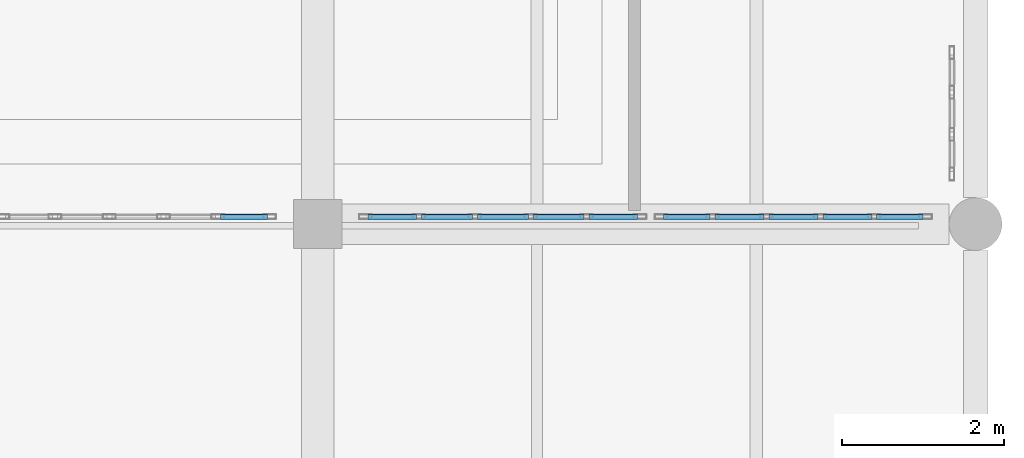
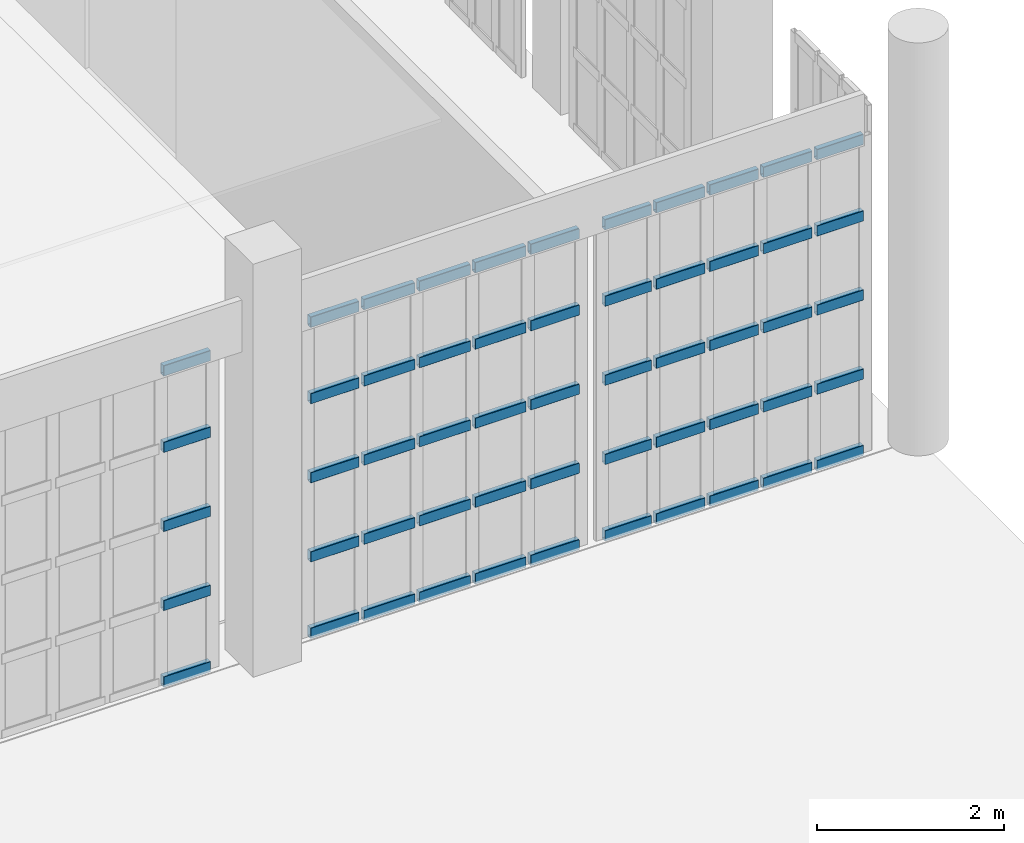
# One storey, part 313 of 372: 55 members, 3 elements without a shape of their own.
"""IFC4 building model written with IfcOpenShell, lengths in metres."""

from ifc_helpers import new_model, si_unit, direction, frame, origin, origin_2d, place, context, subcontext, project, spatial, hollow_rectangle, extrude, material, material_profile, profile_set, type_object, element, aggregate, save


model = new_model("IFC4")

# Units and contexts
model_context = context("Model", 3, precision=1e-05, world=origin(), true_north=direction((0.0, 1.0)))
body_context = subcontext(model_context, "Body", "Model", "MODEL_VIEW")
ifc_project = project(units=[si_unit("LENGTHUNIT", "METRE"), si_unit("AREAUNIT", "SQUARE_METRE"), si_unit("VOLUMEUNIT", "CUBIC_METRE"), si_unit("PLANEANGLEUNIT", "RADIAN"), si_unit("MASSUNIT", "GRAM", prefix="KILO")], contexts=[model_context])

# Site, building, storey
site_placement = place(None, origin())
site = spatial("IfcSite", under=ifc_project, at=site_placement, CompositionType="ELEMENT")
building_placement = place(site_placement, origin())
building = spatial("IfcBuilding", under=site, at=building_placement, Name="Kaelora Sail Theatre", CompositionType="ELEMENT")
storey_placement = place(building_placement, origin())
storey = spatial("IfcBuildingStorey", under=building, at=storey_placement, Name="L00", CompositionType="ELEMENT", Elevation=0.0)

# Curtain wall, members
ifc_material_1 = material(Name="Anodised aluminium and solar-control low-E IGU", Category="aluminium")
curtain_wall_type = type_object("IfcCurtainWallType", Name="ARC-CW-CW-NWG", PredefinedType="NOTDEFINED", material=ifc_material_1)
curtain_wall_1_placement = place(storey_placement, origin())
curtain_wall_1 = element("IfcCurtainWall", 1, at=curtain_wall_1_placement, inside=storey, type_object=curtain_wall_type, Name="Glazed Foyer/Conservatory Curtain Wall COLE-S-L00-02", PredefinedType="NOTDEFINED")
ifc_material_2 = material(Name="Anodised aluminium 6063-T6", Category="aluminium")
ifc_material_profile = material_profile(ifc_material_2, hollow_rectangle(XDim=0.070068359375, YDim=0.139892578125, WallThickness=0.00390625, InnerFilletRadius=0.00390625, OuterFilletRadius=0.008056640625, at=origin_2d()), Name="ALU-TRAN 70x140x4")
ifc_profile_set = profile_set([ifc_material_profile], Name="Anodised aluminium 6063-T6")
member_type = type_object("IfcMemberType", Name="ARC-MEM-TR-140", PredefinedType="USERDEFINED", material=ifc_profile_set)
member_1_placement = place(storey_placement, frame((154.201904296875, 31.35009765625, 0.034912109375), z_axis=(1.0, 0.0, 0.0), x_axis=(0.0, 1.0, 0.0)))
member_1 = element("IfcMember", 2, at=member_1_placement, type_object=member_type, Name="CW-NWG transom 5.1", ObjectType="TRANSOM", PredefinedType="USERDEFINED", context=body_context, shape_type="SweptSolid", body=[
    extrude(hollow_rectangle(XDim=0.070068359375, YDim=0.139892578125, WallThickness=0.00390625, InnerFilletRadius=0.00390625, OuterFilletRadius=0.008056640625, at=origin_2d()), origin(), (0.0, 0.0, 1.0), 0.578125),
])
member_2_placement = place(storey_placement, frame((154.201904296875, 31.35009765625, 1.0341796875), z_axis=(1.0, 0.0, 0.0), x_axis=(0.0, 1.0, 0.0)))
member_2 = element("IfcMember", 3, at=member_2_placement, type_object=member_type, Name="CW-NWG transom 5.2", ObjectType="TRANSOM", PredefinedType="USERDEFINED", context=body_context, shape_type="SweptSolid", body=[
    extrude(hollow_rectangle(XDim=0.070068359375, YDim=0.139892578125, WallThickness=0.00390625, InnerFilletRadius=0.00390625, OuterFilletRadius=0.008056640625, at=origin_2d()), origin(), (0.0, 0.0, 1.0), 0.578125),
])
member_3_placement = place(storey_placement, frame((154.201904296875, 31.35009765625, 2.068603515625), z_axis=(1.0, 0.0, 0.0), x_axis=(0.0, 1.0, 0.0)))
member_3 = element("IfcMember", 4, at=member_3_placement, type_object=member_type, Name="CW-NWG transom 5.3", ObjectType="TRANSOM", PredefinedType="USERDEFINED", context=body_context, shape_type="SweptSolid", body=[
    extrude(hollow_rectangle(XDim=0.070068359375, YDim=0.139892578125, WallThickness=0.00390625, InnerFilletRadius=0.00390625, OuterFilletRadius=0.008056640625, at=origin_2d()), origin(), (0.0, 0.0, 1.0), 0.578125),
])
member_4_placement = place(storey_placement, frame((154.201904296875, 31.35009765625, 3.102783203125), z_axis=(1.0, 0.0, 0.0), x_axis=(0.0, 1.0, 0.0)))
member_4 = element("IfcMember", 5, at=member_4_placement, type_object=member_type, Name="CW-NWG transom 5.4", ObjectType="TRANSOM", PredefinedType="USERDEFINED", context=body_context, shape_type="SweptSolid", body=[
    extrude(hollow_rectangle(XDim=0.070068359375, YDim=0.139892578125, WallThickness=0.00390625, InnerFilletRadius=0.00390625, OuterFilletRadius=0.008056640625, at=origin_2d()), origin(), (0.0, 0.0, 1.0), 0.578125),
])
member_5_placement = place(storey_placement, frame((154.201904296875, 31.35009765625, 4.10205078125), z_axis=(1.0, 0.0, 0.0), x_axis=(0.0, 1.0, 0.0)))
member_5 = element("IfcMember", 6, at=member_5_placement, type_object=member_type, Name="CW-NWG transom 5.5", ObjectType="TRANSOM", PredefinedType="USERDEFINED", context=body_context, shape_type="SweptSolid", body=[
    extrude(hollow_rectangle(XDim=0.070068359375, YDim=0.139892578125, WallThickness=0.00390625, InnerFilletRadius=0.00390625, OuterFilletRadius=0.008056640625, at=origin_2d()), origin(), (0.0, 0.0, 1.0), 0.578125),
])
aggregate(curtain_wall_1, [member_1, member_2, member_3, member_4, member_5])

curtain_wall_2_placement = place(storey_placement, origin())
curtain_wall_2 = element("IfcCurtainWall", 7, at=curtain_wall_2_placement, inside=storey, type_object=curtain_wall_type, Name="Glazed Foyer/Conservatory Curtain Wall COLE-S-L00-03", PredefinedType="NOTDEFINED")
member_6_placement = place(storey_placement, frame((156.02001953125, 31.35009765625, 0.034912109375), z_axis=(1.0, 0.0, 0.0), x_axis=(0.0, 1.0, 0.0)))
member_6 = element("IfcMember", 8, at=member_6_placement, type_object=member_type, Name="CW-NWG transom 1.1", ObjectType="TRANSOM", PredefinedType="USERDEFINED", context=body_context, shape_type="SweptSolid", body=[
    extrude(hollow_rectangle(XDim=0.070068359375, YDim=0.139892578125, WallThickness=0.00390625, InnerFilletRadius=0.00390625, OuterFilletRadius=0.008056640625, at=origin_2d()), origin(), (0.0, 0.0, 1.0), 0.597900390625),
])
member_7_placement = place(storey_placement, frame((156.02001953125, 31.35009765625, 1.0341796875), z_axis=(1.0, 0.0, 0.0), x_axis=(0.0, 1.0, 0.0)))
member_7 = element("IfcMember", 9, at=member_7_placement, type_object=member_type, Name="CW-NWG transom 1.2", ObjectType="TRANSOM", PredefinedType="USERDEFINED", context=body_context, shape_type="SweptSolid", body=[
    extrude(hollow_rectangle(XDim=0.070068359375, YDim=0.139892578125, WallThickness=0.00390625, InnerFilletRadius=0.00390625, OuterFilletRadius=0.008056640625, at=origin_2d()), origin(), (0.0, 0.0, 1.0), 0.597900390625),
])
member_8_placement = place(storey_placement, frame((156.02001953125, 31.35009765625, 2.068603515625), z_axis=(1.0, 0.0, 0.0), x_axis=(0.0, 1.0, 0.0)))
member_8 = element("IfcMember", 10, at=member_8_placement, type_object=member_type, Name="CW-NWG transom 1.3", ObjectType="TRANSOM", PredefinedType="USERDEFINED", context=body_context, shape_type="SweptSolid", body=[
    extrude(hollow_rectangle(XDim=0.070068359375, YDim=0.139892578125, WallThickness=0.00390625, InnerFilletRadius=0.00390625, OuterFilletRadius=0.008056640625, at=origin_2d()), origin(), (0.0, 0.0, 1.0), 0.597900390625),
])
member_9_placement = place(storey_placement, frame((156.02001953125, 31.35009765625, 3.102783203125), z_axis=(1.0, 0.0, 0.0), x_axis=(0.0, 1.0, 0.0)))
member_9 = element("IfcMember", 11, at=member_9_placement, type_object=member_type, Name="CW-NWG transom 1.4", ObjectType="TRANSOM", PredefinedType="USERDEFINED", context=body_context, shape_type="SweptSolid", body=[
    extrude(hollow_rectangle(XDim=0.070068359375, YDim=0.139892578125, WallThickness=0.00390625, InnerFilletRadius=0.00390625, OuterFilletRadius=0.008056640625, at=origin_2d()), origin(), (0.0, 0.0, 1.0), 0.597900390625),
])
member_10_placement = place(storey_placement, frame((156.02001953125, 31.35009765625, 4.10205078125), z_axis=(1.0, 0.0, 0.0), x_axis=(0.0, 1.0, 0.0)))
member_10 = element("IfcMember", 12, at=member_10_placement, type_object=member_type, Name="CW-NWG transom 1.5", ObjectType="TRANSOM", PredefinedType="USERDEFINED", context=body_context, shape_type="SweptSolid", body=[
    extrude(hollow_rectangle(XDim=0.070068359375, YDim=0.139892578125, WallThickness=0.00390625, InnerFilletRadius=0.00390625, OuterFilletRadius=0.008056640625, at=origin_2d()), origin(), (0.0, 0.0, 1.0), 0.597900390625),
])
member_11_placement = place(storey_placement, frame((156.677978515625, 31.35009765625, 0.034912109375), z_axis=(1.0, 0.0, 0.0), x_axis=(0.0, 1.0, 0.0)))
member_11 = element("IfcMember", 13, at=member_11_placement, type_object=member_type, Name="CW-NWG transom 2.1", ObjectType="TRANSOM", PredefinedType="USERDEFINED", context=body_context, shape_type="SweptSolid", body=[
    extrude(hollow_rectangle(XDim=0.070068359375, YDim=0.139892578125, WallThickness=0.00390625, InnerFilletRadius=0.00390625, OuterFilletRadius=0.008056640625, at=origin_2d()), origin(), (0.0, 0.0, 1.0), 0.6279296875),
])
member_12_placement = place(storey_placement, frame((156.677978515625, 31.35009765625, 1.0341796875), z_axis=(1.0, 0.0, 0.0), x_axis=(0.0, 1.0, 0.0)))
member_12 = element("IfcMember", 14, at=member_12_placement, type_object=member_type, Name="CW-NWG transom 2.2", ObjectType="TRANSOM", PredefinedType="USERDEFINED", context=body_context, shape_type="SweptSolid", body=[
    extrude(hollow_rectangle(XDim=0.070068359375, YDim=0.139892578125, WallThickness=0.00390625, InnerFilletRadius=0.00390625, OuterFilletRadius=0.008056640625, at=origin_2d()), origin(), (0.0, 0.0, 1.0), 0.6279296875),
])
member_13_placement = place(storey_placement, frame((156.677978515625, 31.35009765625, 2.068603515625), z_axis=(1.0, 0.0, 0.0), x_axis=(0.0, 1.0, 0.0)))
member_13 = element("IfcMember", 15, at=member_13_placement, type_object=member_type, Name="CW-NWG transom 2.3", ObjectType="TRANSOM", PredefinedType="USERDEFINED", context=body_context, shape_type="SweptSolid", body=[
    extrude(hollow_rectangle(XDim=0.070068359375, YDim=0.139892578125, WallThickness=0.00390625, InnerFilletRadius=0.00390625, OuterFilletRadius=0.008056640625, at=origin_2d()), origin(), (0.0, 0.0, 1.0), 0.6279296875),
])
member_14_placement = place(storey_placement, frame((156.677978515625, 31.35009765625, 3.102783203125), z_axis=(1.0, 0.0, 0.0), x_axis=(0.0, 1.0, 0.0)))
member_14 = element("IfcMember", 16, at=member_14_placement, type_object=member_type, Name="CW-NWG transom 2.4", ObjectType="TRANSOM", PredefinedType="USERDEFINED", context=body_context, shape_type="SweptSolid", body=[
    extrude(hollow_rectangle(XDim=0.070068359375, YDim=0.139892578125, WallThickness=0.00390625, InnerFilletRadius=0.00390625, OuterFilletRadius=0.008056640625, at=origin_2d()), origin(), (0.0, 0.0, 1.0), 0.6279296875),
])
member_15_placement = place(storey_placement, frame((156.677978515625, 31.35009765625, 4.10205078125), z_axis=(1.0, 0.0, 0.0), x_axis=(0.0, 1.0, 0.0)))
member_15 = element("IfcMember", 17, at=member_15_placement, type_object=member_type, Name="CW-NWG transom 2.5", ObjectType="TRANSOM", PredefinedType="USERDEFINED", context=body_context, shape_type="SweptSolid", body=[
    extrude(hollow_rectangle(XDim=0.070068359375, YDim=0.139892578125, WallThickness=0.00390625, InnerFilletRadius=0.00390625, OuterFilletRadius=0.008056640625, at=origin_2d()), origin(), (0.0, 0.0, 1.0), 0.6279296875),
])
member_16_placement = place(storey_placement, frame((157.365966796875, 31.35009765625, 0.034912109375), z_axis=(1.0, 0.0, 0.0), x_axis=(0.0, 1.0, 0.0)))
member_16 = element("IfcMember", 18, at=member_16_placement, type_object=member_type, Name="CW-NWG transom 3.1", ObjectType="TRANSOM", PredefinedType="USERDEFINED", context=body_context, shape_type="SweptSolid", body=[
    extrude(hollow_rectangle(XDim=0.070068359375, YDim=0.139892578125, WallThickness=0.00390625, InnerFilletRadius=0.00390625, OuterFilletRadius=0.008056640625, at=origin_2d()), origin(), (0.0, 0.0, 1.0), 0.6279296875),
])
member_17_placement = place(storey_placement, frame((157.365966796875, 31.35009765625, 1.0341796875), z_axis=(1.0, 0.0, 0.0), x_axis=(0.0, 1.0, 0.0)))
member_17 = element("IfcMember", 19, at=member_17_placement, type_object=member_type, Name="CW-NWG transom 3.2", ObjectType="TRANSOM", PredefinedType="USERDEFINED", context=body_context, shape_type="SweptSolid", body=[
    extrude(hollow_rectangle(XDim=0.070068359375, YDim=0.139892578125, WallThickness=0.00390625, InnerFilletRadius=0.00390625, OuterFilletRadius=0.008056640625, at=origin_2d()), origin(), (0.0, 0.0, 1.0), 0.6279296875),
])
member_18_placement = place(storey_placement, frame((157.365966796875, 31.35009765625, 2.068603515625), z_axis=(1.0, 0.0, 0.0), x_axis=(0.0, 1.0, 0.0)))
member_18 = element("IfcMember", 20, at=member_18_placement, type_object=member_type, Name="CW-NWG transom 3.3", ObjectType="TRANSOM", PredefinedType="USERDEFINED", context=body_context, shape_type="SweptSolid", body=[
    extrude(hollow_rectangle(XDim=0.070068359375, YDim=0.139892578125, WallThickness=0.00390625, InnerFilletRadius=0.00390625, OuterFilletRadius=0.008056640625, at=origin_2d()), origin(), (0.0, 0.0, 1.0), 0.6279296875),
])
member_19_placement = place(storey_placement, frame((157.365966796875, 31.35009765625, 3.102783203125), z_axis=(1.0, 0.0, 0.0), x_axis=(0.0, 1.0, 0.0)))
member_19 = element("IfcMember", 21, at=member_19_placement, type_object=member_type, Name="CW-NWG transom 3.4", ObjectType="TRANSOM", PredefinedType="USERDEFINED", context=body_context, shape_type="SweptSolid", body=[
    extrude(hollow_rectangle(XDim=0.070068359375, YDim=0.139892578125, WallThickness=0.00390625, InnerFilletRadius=0.00390625, OuterFilletRadius=0.008056640625, at=origin_2d()), origin(), (0.0, 0.0, 1.0), 0.6279296875),
])
member_20_placement = place(storey_placement, frame((157.365966796875, 31.35009765625, 4.10205078125), z_axis=(1.0, 0.0, 0.0), x_axis=(0.0, 1.0, 0.0)))
member_20 = element("IfcMember", 22, at=member_20_placement, type_object=member_type, Name="CW-NWG transom 3.5", ObjectType="TRANSOM", PredefinedType="USERDEFINED", context=body_context, shape_type="SweptSolid", body=[
    extrude(hollow_rectangle(XDim=0.070068359375, YDim=0.139892578125, WallThickness=0.00390625, InnerFilletRadius=0.00390625, OuterFilletRadius=0.008056640625, at=origin_2d()), origin(), (0.0, 0.0, 1.0), 0.6279296875),
])
member_21_placement = place(storey_placement, frame((158.053955078125, 31.35009765625, 0.034912109375), z_axis=(1.0, 0.0, 0.0), x_axis=(0.0, 1.0, 0.0)))
member_21 = element("IfcMember", 23, at=member_21_placement, type_object=member_type, Name="CW-NWG transom 4.1", ObjectType="TRANSOM", PredefinedType="USERDEFINED", context=body_context, shape_type="SweptSolid", body=[
    extrude(hollow_rectangle(XDim=0.070068359375, YDim=0.139892578125, WallThickness=0.00390625, InnerFilletRadius=0.00390625, OuterFilletRadius=0.008056640625, at=origin_2d()), origin(), (0.0, 0.0, 1.0), 0.6279296875),
])
member_22_placement = place(storey_placement, frame((158.053955078125, 31.35009765625, 1.0341796875), z_axis=(1.0, 0.0, 0.0), x_axis=(0.0, 1.0, 0.0)))
member_22 = element("IfcMember", 24, at=member_22_placement, type_object=member_type, Name="CW-NWG transom 4.2", ObjectType="TRANSOM", PredefinedType="USERDEFINED", context=body_context, shape_type="SweptSolid", body=[
    extrude(hollow_rectangle(XDim=0.070068359375, YDim=0.139892578125, WallThickness=0.00390625, InnerFilletRadius=0.00390625, OuterFilletRadius=0.008056640625, at=origin_2d()), origin(), (0.0, 0.0, 1.0), 0.6279296875),
])
member_23_placement = place(storey_placement, frame((158.053955078125, 31.35009765625, 2.068603515625), z_axis=(1.0, 0.0, 0.0), x_axis=(0.0, 1.0, 0.0)))
member_23 = element("IfcMember", 25, at=member_23_placement, type_object=member_type, Name="CW-NWG transom 4.3", ObjectType="TRANSOM", PredefinedType="USERDEFINED", context=body_context, shape_type="SweptSolid", body=[
    extrude(hollow_rectangle(XDim=0.070068359375, YDim=0.139892578125, WallThickness=0.00390625, InnerFilletRadius=0.00390625, OuterFilletRadius=0.008056640625, at=origin_2d()), origin(), (0.0, 0.0, 1.0), 0.6279296875),
])
member_24_placement = place(storey_placement, frame((158.053955078125, 31.35009765625, 3.102783203125), z_axis=(1.0, 0.0, 0.0), x_axis=(0.0, 1.0, 0.0)))
member_24 = element("IfcMember", 26, at=member_24_placement, type_object=member_type, Name="CW-NWG transom 4.4", ObjectType="TRANSOM", PredefinedType="USERDEFINED", context=body_context, shape_type="SweptSolid", body=[
    extrude(hollow_rectangle(XDim=0.070068359375, YDim=0.139892578125, WallThickness=0.00390625, InnerFilletRadius=0.00390625, OuterFilletRadius=0.008056640625, at=origin_2d()), origin(), (0.0, 0.0, 1.0), 0.6279296875),
])
member_25_placement = place(storey_placement, frame((158.053955078125, 31.35009765625, 4.10205078125), z_axis=(1.0, 0.0, 0.0), x_axis=(0.0, 1.0, 0.0)))
member_25 = element("IfcMember", 27, at=member_25_placement, type_object=member_type, Name="CW-NWG transom 4.5", ObjectType="TRANSOM", PredefinedType="USERDEFINED", context=body_context, shape_type="SweptSolid", body=[
    extrude(hollow_rectangle(XDim=0.070068359375, YDim=0.139892578125, WallThickness=0.00390625, InnerFilletRadius=0.00390625, OuterFilletRadius=0.008056640625, at=origin_2d()), origin(), (0.0, 0.0, 1.0), 0.6279296875),
])
member_26_placement = place(storey_placement, frame((158.741943359375, 31.35009765625, 0.034912109375), z_axis=(1.0, 0.0, 0.0), x_axis=(0.0, 1.0, 0.0)))
member_26 = element("IfcMember", 28, at=member_26_placement, type_object=member_type, Name="CW-NWG transom 5.1", ObjectType="TRANSOM", PredefinedType="USERDEFINED", context=body_context, shape_type="SweptSolid", body=[
    extrude(hollow_rectangle(XDim=0.070068359375, YDim=0.139892578125, WallThickness=0.00390625, InnerFilletRadius=0.00390625, OuterFilletRadius=0.008056640625, at=origin_2d()), origin(), (0.0, 0.0, 1.0), 0.59814453125),
])
member_27_placement = place(storey_placement, frame((158.741943359375, 31.35009765625, 1.0341796875), z_axis=(1.0, 0.0, 0.0), x_axis=(0.0, 1.0, 0.0)))
member_27 = element("IfcMember", 29, at=member_27_placement, type_object=member_type, Name="CW-NWG transom 5.2", ObjectType="TRANSOM", PredefinedType="USERDEFINED", context=body_context, shape_type="SweptSolid", body=[
    extrude(hollow_rectangle(XDim=0.070068359375, YDim=0.139892578125, WallThickness=0.00390625, InnerFilletRadius=0.00390625, OuterFilletRadius=0.008056640625, at=origin_2d()), origin(), (0.0, 0.0, 1.0), 0.59814453125),
])
member_28_placement = place(storey_placement, frame((158.741943359375, 31.35009765625, 2.068603515625), z_axis=(1.0, 0.0, 0.0), x_axis=(0.0, 1.0, 0.0)))
member_28 = element("IfcMember", 30, at=member_28_placement, type_object=member_type, Name="CW-NWG transom 5.3", ObjectType="TRANSOM", PredefinedType="USERDEFINED", context=body_context, shape_type="SweptSolid", body=[
    extrude(hollow_rectangle(XDim=0.070068359375, YDim=0.139892578125, WallThickness=0.00390625, InnerFilletRadius=0.00390625, OuterFilletRadius=0.008056640625, at=origin_2d()), origin(), (0.0, 0.0, 1.0), 0.59814453125),
])
member_29_placement = place(storey_placement, frame((158.741943359375, 31.35009765625, 3.102783203125), z_axis=(1.0, 0.0, 0.0), x_axis=(0.0, 1.0, 0.0)))
member_29 = element("IfcMember", 31, at=member_29_placement, type_object=member_type, Name="CW-NWG transom 5.4", ObjectType="TRANSOM", PredefinedType="USERDEFINED", context=body_context, shape_type="SweptSolid", body=[
    extrude(hollow_rectangle(XDim=0.070068359375, YDim=0.139892578125, WallThickness=0.00390625, InnerFilletRadius=0.00390625, OuterFilletRadius=0.008056640625, at=origin_2d()), origin(), (0.0, 0.0, 1.0), 0.59814453125),
])
member_30_placement = place(storey_placement, frame((158.741943359375, 31.35009765625, 4.10205078125), z_axis=(1.0, 0.0, 0.0), x_axis=(0.0, 1.0, 0.0)))
member_30 = element("IfcMember", 32, at=member_30_placement, type_object=member_type, Name="CW-NWG transom 5.5", ObjectType="TRANSOM", PredefinedType="USERDEFINED", context=body_context, shape_type="SweptSolid", body=[
    extrude(hollow_rectangle(XDim=0.070068359375, YDim=0.139892578125, WallThickness=0.00390625, InnerFilletRadius=0.00390625, OuterFilletRadius=0.008056640625, at=origin_2d()), origin(), (0.0, 0.0, 1.0), 0.59814453125),
])
aggregate(curtain_wall_2, [member_6, member_7, member_8, member_9, member_10, member_11, member_12, member_13, member_14, member_15, member_16, member_17, member_18, member_19, member_20, member_21, member_22, member_23, member_24, member_25, member_26, member_27, member_28, member_29, member_30])

curtain_wall_3_placement = place(storey_placement, origin())
curtain_wall_3 = element("IfcCurtainWall", 33, at=curtain_wall_3_placement, inside=storey, type_object=curtain_wall_type, Name="Glazed Foyer/Conservatory Curtain Wall COLE-S-L00-04", PredefinedType="NOTDEFINED")
member_31_placement = place(storey_placement, frame((159.659912109375, 31.35009765625, 0.034912109375), z_axis=(1.0, 0.0, 0.0), x_axis=(0.0, 1.0, 0.0)))
member_31 = element("IfcMember", 34, at=member_31_placement, type_object=member_type, Name="CW-NWG transom 1.1", ObjectType="TRANSOM", PredefinedType="USERDEFINED", context=body_context, shape_type="SweptSolid", body=[
    extrude(hollow_rectangle(XDim=0.070068359375, YDim=0.139892578125, WallThickness=0.00390625, InnerFilletRadius=0.00390625, OuterFilletRadius=0.008056640625, at=origin_2d()), origin(), (0.0, 0.0, 1.0), 0.572998046875),
])
member_32_placement = place(storey_placement, frame((159.659912109375, 31.35009765625, 1.0341796875), z_axis=(1.0, 0.0, 0.0), x_axis=(0.0, 1.0, 0.0)))
member_32 = element("IfcMember", 35, at=member_32_placement, type_object=member_type, Name="CW-NWG transom 1.2", ObjectType="TRANSOM", PredefinedType="USERDEFINED", context=body_context, shape_type="SweptSolid", body=[
    extrude(hollow_rectangle(XDim=0.070068359375, YDim=0.139892578125, WallThickness=0.00390625, InnerFilletRadius=0.00390625, OuterFilletRadius=0.008056640625, at=origin_2d()), origin(), (0.0, 0.0, 1.0), 0.572998046875),
])
member_33_placement = place(storey_placement, frame((159.659912109375, 31.35009765625, 2.068603515625), z_axis=(1.0, 0.0, 0.0), x_axis=(0.0, 1.0, 0.0)))
member_33 = element("IfcMember", 36, at=member_33_placement, type_object=member_type, Name="CW-NWG transom 1.3", ObjectType="TRANSOM", PredefinedType="USERDEFINED", context=body_context, shape_type="SweptSolid", body=[
    extrude(hollow_rectangle(XDim=0.070068359375, YDim=0.139892578125, WallThickness=0.00390625, InnerFilletRadius=0.00390625, OuterFilletRadius=0.008056640625, at=origin_2d()), origin(), (0.0, 0.0, 1.0), 0.572998046875),
])
member_34_placement = place(storey_placement, frame((159.659912109375, 31.35009765625, 3.102783203125), z_axis=(1.0, 0.0, 0.0), x_axis=(0.0, 1.0, 0.0)))
member_34 = element("IfcMember", 37, at=member_34_placement, type_object=member_type, Name="CW-NWG transom 1.4", ObjectType="TRANSOM", PredefinedType="USERDEFINED", context=body_context, shape_type="SweptSolid", body=[
    extrude(hollow_rectangle(XDim=0.070068359375, YDim=0.139892578125, WallThickness=0.00390625, InnerFilletRadius=0.00390625, OuterFilletRadius=0.008056640625, at=origin_2d()), origin(), (0.0, 0.0, 1.0), 0.572998046875),
])
member_35_placement = place(storey_placement, frame((159.659912109375, 31.35009765625, 4.10205078125), z_axis=(1.0, 0.0, 0.0), x_axis=(0.0, 1.0, 0.0)))
member_35 = element("IfcMember", 38, at=member_35_placement, type_object=member_type, Name="CW-NWG transom 1.5", ObjectType="TRANSOM", PredefinedType="USERDEFINED", context=body_context, shape_type="SweptSolid", body=[
    extrude(hollow_rectangle(XDim=0.070068359375, YDim=0.139892578125, WallThickness=0.00390625, InnerFilletRadius=0.00390625, OuterFilletRadius=0.008056640625, at=origin_2d()), origin(), (0.0, 0.0, 1.0), 0.572998046875),
])
member_36_placement = place(storey_placement, frame((160.29296875, 31.35009765625, 0.034912109375), z_axis=(1.0, 0.0, 0.0), x_axis=(0.0, 1.0, 0.0)))
member_36 = element("IfcMember", 39, at=member_36_placement, type_object=member_type, Name="CW-NWG transom 2.1", ObjectType="TRANSOM", PredefinedType="USERDEFINED", context=body_context, shape_type="SweptSolid", body=[
    extrude(hollow_rectangle(XDim=0.070068359375, YDim=0.139892578125, WallThickness=0.00390625, InnerFilletRadius=0.00390625, OuterFilletRadius=0.008056640625, at=origin_2d()), origin(), (0.0, 0.0, 1.0), 0.60302734375),
])
member_37_placement = place(storey_placement, frame((160.29296875, 31.35009765625, 1.0341796875), z_axis=(1.0, 0.0, 0.0), x_axis=(0.0, 1.0, 0.0)))
member_37 = element("IfcMember", 40, at=member_37_placement, type_object=member_type, Name="CW-NWG transom 2.2", ObjectType="TRANSOM", PredefinedType="USERDEFINED", context=body_context, shape_type="SweptSolid", body=[
    extrude(hollow_rectangle(XDim=0.070068359375, YDim=0.139892578125, WallThickness=0.00390625, InnerFilletRadius=0.00390625, OuterFilletRadius=0.008056640625, at=origin_2d()), origin(), (0.0, 0.0, 1.0), 0.60302734375),
])
member_38_placement = place(storey_placement, frame((160.29296875, 31.35009765625, 2.068603515625), z_axis=(1.0, 0.0, 0.0), x_axis=(0.0, 1.0, 0.0)))
member_38 = element("IfcMember", 41, at=member_38_placement, type_object=member_type, Name="CW-NWG transom 2.3", ObjectType="TRANSOM", PredefinedType="USERDEFINED", context=body_context, shape_type="SweptSolid", body=[
    extrude(hollow_rectangle(XDim=0.070068359375, YDim=0.139892578125, WallThickness=0.00390625, InnerFilletRadius=0.00390625, OuterFilletRadius=0.008056640625, at=origin_2d()), origin(), (0.0, 0.0, 1.0), 0.60302734375),
])
member_39_placement = place(storey_placement, frame((160.29296875, 31.35009765625, 3.102783203125), z_axis=(1.0, 0.0, 0.0), x_axis=(0.0, 1.0, 0.0)))
member_39 = element("IfcMember", 42, at=member_39_placement, type_object=member_type, Name="CW-NWG transom 2.4", ObjectType="TRANSOM", PredefinedType="USERDEFINED", context=body_context, shape_type="SweptSolid", body=[
    extrude(hollow_rectangle(XDim=0.070068359375, YDim=0.139892578125, WallThickness=0.00390625, InnerFilletRadius=0.00390625, OuterFilletRadius=0.008056640625, at=origin_2d()), origin(), (0.0, 0.0, 1.0), 0.60302734375),
])
member_40_placement = place(storey_placement, frame((160.29296875, 31.35009765625, 4.10205078125), z_axis=(1.0, 0.0, 0.0), x_axis=(0.0, 1.0, 0.0)))
member_40 = element("IfcMember", 43, at=member_40_placement, type_object=member_type, Name="CW-NWG transom 2.5", ObjectType="TRANSOM", PredefinedType="USERDEFINED", context=body_context, shape_type="SweptSolid", body=[
    extrude(hollow_rectangle(XDim=0.070068359375, YDim=0.139892578125, WallThickness=0.00390625, InnerFilletRadius=0.00390625, OuterFilletRadius=0.008056640625, at=origin_2d()), origin(), (0.0, 0.0, 1.0), 0.60302734375),
])
member_41_placement = place(storey_placement, frame((160.9560546875, 31.35009765625, 0.034912109375), z_axis=(1.0, 0.0, 0.0), x_axis=(0.0, 1.0, 0.0)))
member_41 = element("IfcMember", 44, at=member_41_placement, type_object=member_type, Name="CW-NWG transom 3.1", ObjectType="TRANSOM", PredefinedType="USERDEFINED", context=body_context, shape_type="SweptSolid", body=[
    extrude(hollow_rectangle(XDim=0.070068359375, YDim=0.139892578125, WallThickness=0.00390625, InnerFilletRadius=0.00390625, OuterFilletRadius=0.008056640625, at=origin_2d()), origin(), (0.0, 0.0, 1.0), 0.60302734375),
])
member_42_placement = place(storey_placement, frame((160.9560546875, 31.35009765625, 1.0341796875), z_axis=(1.0, 0.0, 0.0), x_axis=(0.0, 1.0, 0.0)))
member_42 = element("IfcMember", 45, at=member_42_placement, type_object=member_type, Name="CW-NWG transom 3.2", ObjectType="TRANSOM", PredefinedType="USERDEFINED", context=body_context, shape_type="SweptSolid", body=[
    extrude(hollow_rectangle(XDim=0.070068359375, YDim=0.139892578125, WallThickness=0.00390625, InnerFilletRadius=0.00390625, OuterFilletRadius=0.008056640625, at=origin_2d()), origin(), (0.0, 0.0, 1.0), 0.60302734375),
])
member_43_placement = place(storey_placement, frame((160.9560546875, 31.35009765625, 2.068603515625), z_axis=(1.0, 0.0, 0.0), x_axis=(0.0, 1.0, 0.0)))
member_43 = element("IfcMember", 46, at=member_43_placement, type_object=member_type, Name="CW-NWG transom 3.3", ObjectType="TRANSOM", PredefinedType="USERDEFINED", context=body_context, shape_type="SweptSolid", body=[
    extrude(hollow_rectangle(XDim=0.070068359375, YDim=0.139892578125, WallThickness=0.00390625, InnerFilletRadius=0.00390625, OuterFilletRadius=0.008056640625, at=origin_2d()), origin(), (0.0, 0.0, 1.0), 0.60302734375),
])
member_44_placement = place(storey_placement, frame((160.9560546875, 31.35009765625, 3.102783203125), z_axis=(1.0, 0.0, 0.0), x_axis=(0.0, 1.0, 0.0)))
member_44 = element("IfcMember", 47, at=member_44_placement, type_object=member_type, Name="CW-NWG transom 3.4", ObjectType="TRANSOM", PredefinedType="USERDEFINED", context=body_context, shape_type="SweptSolid", body=[
    extrude(hollow_rectangle(XDim=0.070068359375, YDim=0.139892578125, WallThickness=0.00390625, InnerFilletRadius=0.00390625, OuterFilletRadius=0.008056640625, at=origin_2d()), origin(), (0.0, 0.0, 1.0), 0.60302734375),
])
member_45_placement = place(storey_placement, frame((160.9560546875, 31.35009765625, 4.10205078125), z_axis=(1.0, 0.0, 0.0), x_axis=(0.0, 1.0, 0.0)))
member_45 = element("IfcMember", 48, at=member_45_placement, type_object=member_type, Name="CW-NWG transom 3.5", ObjectType="TRANSOM", PredefinedType="USERDEFINED", context=body_context, shape_type="SweptSolid", body=[
    extrude(hollow_rectangle(XDim=0.070068359375, YDim=0.139892578125, WallThickness=0.00390625, InnerFilletRadius=0.00390625, OuterFilletRadius=0.008056640625, at=origin_2d()), origin(), (0.0, 0.0, 1.0), 0.60302734375),
])
member_46_placement = place(storey_placement, frame((161.618896484375, 31.35009765625, 0.034912109375), z_axis=(1.0, 0.0, 0.0), x_axis=(0.0, 1.0, 0.0)))
member_46 = element("IfcMember", 49, at=member_46_placement, type_object=member_type, Name="CW-NWG transom 4.1", ObjectType="TRANSOM", PredefinedType="USERDEFINED", context=body_context, shape_type="SweptSolid", body=[
    extrude(hollow_rectangle(XDim=0.070068359375, YDim=0.139892578125, WallThickness=0.00390625, InnerFilletRadius=0.00390625, OuterFilletRadius=0.008056640625, at=origin_2d()), origin(), (0.0, 0.0, 1.0), 0.60302734375),
])
member_47_placement = place(storey_placement, frame((161.618896484375, 31.35009765625, 1.0341796875), z_axis=(1.0, 0.0, 0.0), x_axis=(0.0, 1.0, 0.0)))
member_47 = element("IfcMember", 50, at=member_47_placement, type_object=member_type, Name="CW-NWG transom 4.2", ObjectType="TRANSOM", PredefinedType="USERDEFINED", context=body_context, shape_type="SweptSolid", body=[
    extrude(hollow_rectangle(XDim=0.070068359375, YDim=0.139892578125, WallThickness=0.00390625, InnerFilletRadius=0.00390625, OuterFilletRadius=0.008056640625, at=origin_2d()), origin(), (0.0, 0.0, 1.0), 0.60302734375),
])
member_48_placement = place(storey_placement, frame((161.618896484375, 31.35009765625, 2.068603515625), z_axis=(1.0, 0.0, 0.0), x_axis=(0.0, 1.0, 0.0)))
member_48 = element("IfcMember", 51, at=member_48_placement, type_object=member_type, Name="CW-NWG transom 4.3", ObjectType="TRANSOM", PredefinedType="USERDEFINED", context=body_context, shape_type="SweptSolid", body=[
    extrude(hollow_rectangle(XDim=0.070068359375, YDim=0.139892578125, WallThickness=0.00390625, InnerFilletRadius=0.00390625, OuterFilletRadius=0.008056640625, at=origin_2d()), origin(), (0.0, 0.0, 1.0), 0.60302734375),
])
member_49_placement = place(storey_placement, frame((161.618896484375, 31.35009765625, 3.102783203125), z_axis=(1.0, 0.0, 0.0), x_axis=(0.0, 1.0, 0.0)))
member_49 = element("IfcMember", 52, at=member_49_placement, type_object=member_type, Name="CW-NWG transom 4.4", ObjectType="TRANSOM", PredefinedType="USERDEFINED", context=body_context, shape_type="SweptSolid", body=[
    extrude(hollow_rectangle(XDim=0.070068359375, YDim=0.139892578125, WallThickness=0.00390625, InnerFilletRadius=0.00390625, OuterFilletRadius=0.008056640625, at=origin_2d()), origin(), (0.0, 0.0, 1.0), 0.60302734375),
])
member_50_placement = place(storey_placement, frame((161.618896484375, 31.35009765625, 4.10205078125), z_axis=(1.0, 0.0, 0.0), x_axis=(0.0, 1.0, 0.0)))
member_50 = element("IfcMember", 53, at=member_50_placement, type_object=member_type, Name="CW-NWG transom 4.5", ObjectType="TRANSOM", PredefinedType="USERDEFINED", context=body_context, shape_type="SweptSolid", body=[
    extrude(hollow_rectangle(XDim=0.070068359375, YDim=0.139892578125, WallThickness=0.00390625, InnerFilletRadius=0.00390625, OuterFilletRadius=0.008056640625, at=origin_2d()), origin(), (0.0, 0.0, 1.0), 0.60302734375),
])
member_51_placement = place(storey_placement, frame((162.281982421875, 31.35009765625, 0.034912109375), z_axis=(1.0, 0.0, 0.0), x_axis=(0.0, 1.0, 0.0)))
member_51 = element("IfcMember", 54, at=member_51_placement, type_object=member_type, Name="CW-NWG transom 5.1", ObjectType="TRANSOM", PredefinedType="USERDEFINED", context=body_context, shape_type="SweptSolid", body=[
    extrude(hollow_rectangle(XDim=0.070068359375, YDim=0.139892578125, WallThickness=0.00390625, InnerFilletRadius=0.00390625, OuterFilletRadius=0.008056640625, at=origin_2d()), origin(), (0.0, 0.0, 1.0), 0.572998046875),
])
member_52_placement = place(storey_placement, frame((162.281982421875, 31.35009765625, 1.0341796875), z_axis=(1.0, 0.0, 0.0), x_axis=(0.0, 1.0, 0.0)))
member_52 = element("IfcMember", 55, at=member_52_placement, type_object=member_type, Name="CW-NWG transom 5.2", ObjectType="TRANSOM", PredefinedType="USERDEFINED", context=body_context, shape_type="SweptSolid", body=[
    extrude(hollow_rectangle(XDim=0.070068359375, YDim=0.139892578125, WallThickness=0.00390625, InnerFilletRadius=0.00390625, OuterFilletRadius=0.008056640625, at=origin_2d()), origin(), (0.0, 0.0, 1.0), 0.572998046875),
])
member_53_placement = place(storey_placement, frame((162.281982421875, 31.35009765625, 2.068603515625), z_axis=(1.0, 0.0, 0.0), x_axis=(0.0, 1.0, 0.0)))
member_53 = element("IfcMember", 56, at=member_53_placement, type_object=member_type, Name="CW-NWG transom 5.3", ObjectType="TRANSOM", PredefinedType="USERDEFINED", context=body_context, shape_type="SweptSolid", body=[
    extrude(hollow_rectangle(XDim=0.070068359375, YDim=0.139892578125, WallThickness=0.00390625, InnerFilletRadius=0.00390625, OuterFilletRadius=0.008056640625, at=origin_2d()), origin(), (0.0, 0.0, 1.0), 0.572998046875),
])
member_54_placement = place(storey_placement, frame((162.281982421875, 31.35009765625, 3.102783203125), z_axis=(1.0, 0.0, 0.0), x_axis=(0.0, 1.0, 0.0)))
member_54 = element("IfcMember", 57, at=member_54_placement, type_object=member_type, Name="CW-NWG transom 5.4", ObjectType="TRANSOM", PredefinedType="USERDEFINED", context=body_context, shape_type="SweptSolid", body=[
    extrude(hollow_rectangle(XDim=0.070068359375, YDim=0.139892578125, WallThickness=0.00390625, InnerFilletRadius=0.00390625, OuterFilletRadius=0.008056640625, at=origin_2d()), origin(), (0.0, 0.0, 1.0), 0.572998046875),
])
member_55_placement = place(storey_placement, frame((162.281982421875, 31.35009765625, 4.10205078125), z_axis=(1.0, 0.0, 0.0), x_axis=(0.0, 1.0, 0.0)))
member_55 = element("IfcMember", 58, at=member_55_placement, type_object=member_type, Name="CW-NWG transom 5.5", ObjectType="TRANSOM", PredefinedType="USERDEFINED", context=body_context, shape_type="SweptSolid", body=[
    extrude(hollow_rectangle(XDim=0.070068359375, YDim=0.139892578125, WallThickness=0.00390625, InnerFilletRadius=0.00390625, OuterFilletRadius=0.008056640625, at=origin_2d()), origin(), (0.0, 0.0, 1.0), 0.572998046875),
])
aggregate(curtain_wall_3, [member_31, member_32, member_33, member_34, member_35, member_36, member_37, member_38, member_39, member_40, member_41, member_42, member_43, member_44, member_45, member_46, member_47, member_48, member_49, member_50, member_51, member_52, member_53, member_54, member_55])

save(model, "model.ifc")
